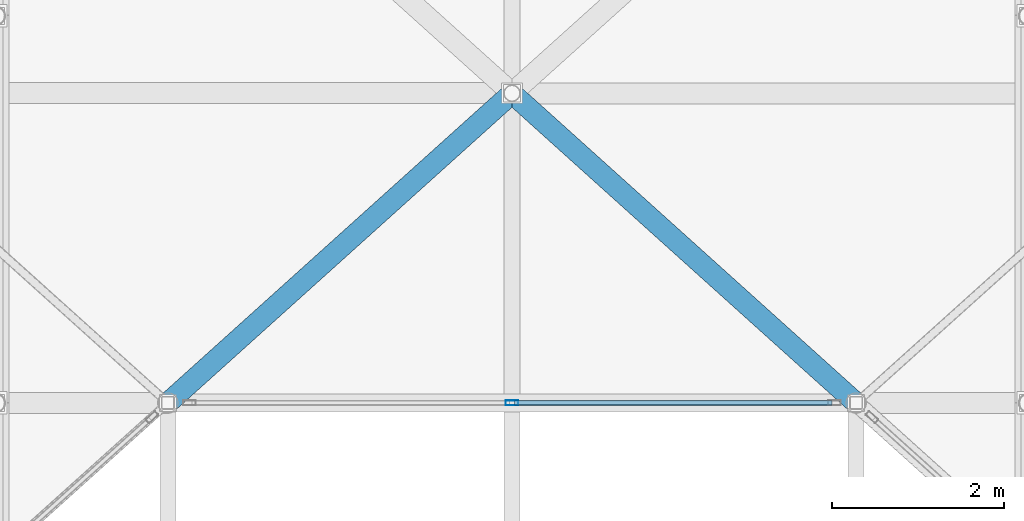
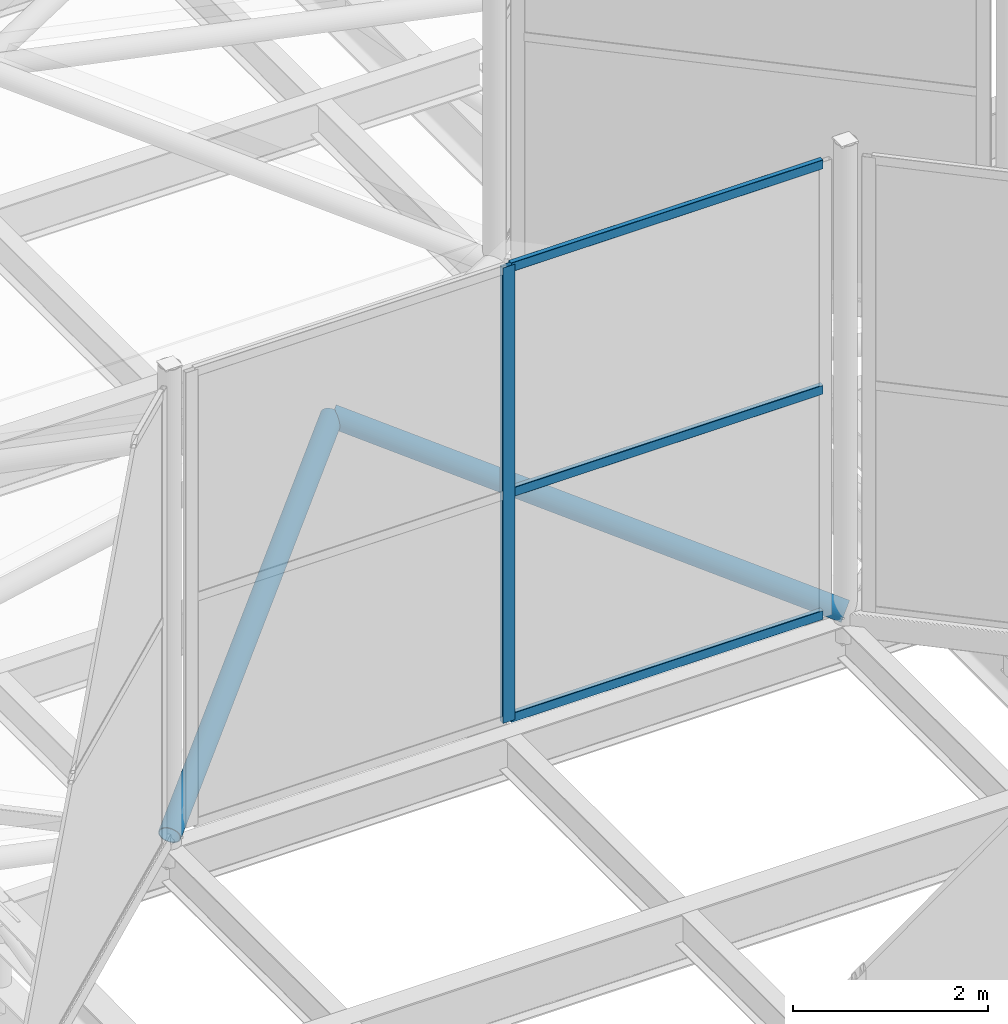
# One storey, part 96 of 239: 6 members, 1 element without a shape of its own.
"""IFC4 building model written with IfcOpenShell, lengths in metres."""

from ifc_helpers import new_model, si_unit, direction, frame, origin, origin_2d, place, context, subcontext, project, spatial, hollow_rectangle, hollow_circle, extrude, material, layer, layer_set, material_profile, profile_set, type_object, element, aggregate, save


model = new_model("IFC4")

# Units and contexts
model_context = context("Model", 3, precision=1e-05, world=origin(), true_north=direction((0.0, 1.0)))
body_context = subcontext(model_context, "Body", "Model", "MODEL_VIEW")
ifc_project = project(units=[si_unit("LENGTHUNIT", "METRE"), si_unit("AREAUNIT", "SQUARE_METRE"), si_unit("VOLUMEUNIT", "CUBIC_METRE"), si_unit("PLANEANGLEUNIT", "RADIAN"), si_unit("MASSUNIT", "GRAM", prefix="KILO")], contexts=[model_context])

# Site, building, storey
site_placement = place(None, origin())
site = spatial("IfcSite", under=ifc_project, at=site_placement, CompositionType="ELEMENT")
building_placement = place(site_placement, origin())
building = spatial("IfcBuilding", under=site, at=building_placement, Name="Dunvalen Ferry Terminal", CompositionType="ELEMENT")
storey_placement = place(building_placement, frame((0.0, 0.0, 9.840087890625)))
storey = spatial("IfcBuildingStorey", under=building, at=storey_placement, Name="L02", CompositionType="ELEMENT", Elevation=9.840087890625)

# Curtain wall, members
ifc_material_1 = material(Name="Anodised marine aluminium and solar-control glazing", Category="aluminium")
ifc_layer = layer(ifc_material_1, 0.179931640625, Name="Anodised marine aluminium and solar-control glazing")
ifc_layer_set = layer_set([ifc_layer], Name="Anodised marine aluminium and solar-control glazing")
curtain_wall_type = type_object("IfcCurtainWallType", Name="ENV-CW-SYS-05", PredefinedType="NOTDEFINED", material=ifc_layer_set)
curtain_wall_placement = place(storey_placement, origin())
curtain_wall = element("IfcCurtainWall", 1, at=curtain_wall_placement, inside=storey, type_object=curtain_wall_type, Name="L02 Curtain Wall CW-HEX-25-SK-5", PredefinedType="NOTDEFINED")
ifc_material_2 = material(Name="Anodised marine aluminium EN AW-6063 T6", Category="aluminium")
ifc_material_profile_1 = material_profile(ifc_material_2, hollow_rectangle(XDim=0.06005859375, YDim=0.14990234375, WallThickness=0.00341796875, InnerFilletRadius=0.00341796875, OuterFilletRadius=0.007080078125, at=origin_2d()), Name="Anodised marine aluminium EN AW-6063 T6")
ifc_profile_set_1 = profile_set([ifc_material_profile_1], Name="Anodised marine aluminium EN AW-6063 T6")
member_type_1 = type_object("IfcMemberType", Name="ENV-CW-MUL-3", PredefinedType="MULLION", material=ifc_profile_set_1)
member_1_placement = place(storey_placement, frame((54.0, 68.39990234375, 1.139892578125), z_axis=(0.0, 0.0, 1.0), x_axis=(0.0, -1.0, 0.0)))
member_1 = element("IfcMember", 2, at=member_1_placement, type_object=member_type_1, Name="CW-05 mullion 2", PredefinedType="MULLION", context=body_context, shape_type="SweptSolid", body=[
    extrude(hollow_rectangle(XDim=0.06005859375, YDim=0.14990234375, WallThickness=0.00341796875, InnerFilletRadius=0.00341796875, OuterFilletRadius=0.007080078125, at=origin_2d()), origin(), (0.0, 0.0, 1.0), 5.699951171875),
])
ifc_material_profile_2 = material_profile(ifc_material_2, hollow_rectangle(XDim=0.06005859375, YDim=0.114990234375, WallThickness=0.0029296875, InnerFilletRadius=0.0029296875, OuterFilletRadius=0.006103515625, at=origin_2d()), Name="Anodised marine aluminium EN AW-6063 T6")
ifc_profile_set_2 = profile_set([ifc_material_profile_2], Name="Anodised marine aluminium EN AW-6063 T6")
member_type_2 = type_object("IfcMemberType", Name="ENV-CW-TRN-3", PredefinedType="USERDEFINED", material=ifc_profile_set_2)
member_2_placement = place(storey_placement, frame((57.719970703125, 68.39990234375, 1.169921875), z_axis=(-1.0, 0.0, 0.0), x_axis=(0.0, -1.0, 0.0)))
member_2 = element("IfcMember", 3, at=member_2_placement, type_object=member_type_2, Name="CW-05 transom 1.1", ObjectType="TRANSOM", PredefinedType="USERDEFINED", context=body_context, shape_type="SweptSolid", body=[
    extrude(hollow_rectangle(XDim=0.06005859375, YDim=0.114990234375, WallThickness=0.0029296875, InnerFilletRadius=0.0029296875, OuterFilletRadius=0.006103515625, at=origin_2d()), origin(), (0.0, 0.0, 1.0), 3.68994140625),
])
member_3_placement = place(storey_placement, frame((57.719970703125, 68.39990234375, 3.989990234375), z_axis=(-1.0, 0.0, 0.0), x_axis=(0.0, -1.0, 0.0)))
member_3 = element("IfcMember", 4, at=member_3_placement, type_object=member_type_2, Name="CW-05 transom 1.2", ObjectType="TRANSOM", PredefinedType="USERDEFINED", context=body_context, shape_type="SweptSolid", body=[
    extrude(hollow_rectangle(XDim=0.06005859375, YDim=0.114990234375, WallThickness=0.0029296875, InnerFilletRadius=0.0029296875, OuterFilletRadius=0.006103515625, at=origin_2d()), origin(), (0.0, 0.0, 1.0), 3.68994140625),
])
member_4_placement = place(storey_placement, frame((57.719970703125, 68.39990234375, 6.809814453125), z_axis=(-1.0, 0.0, 0.0), x_axis=(0.0, -1.0, 0.0)))
member_4 = element("IfcMember", 5, at=member_4_placement, type_object=member_type_2, Name="CW-05 transom 1.3", ObjectType="TRANSOM", PredefinedType="USERDEFINED", context=body_context, shape_type="SweptSolid", body=[
    extrude(hollow_rectangle(XDim=0.06005859375, YDim=0.114990234375, WallThickness=0.0029296875, InnerFilletRadius=0.0029296875, OuterFilletRadius=0.006103515625, at=origin_2d()), origin(), (0.0, 0.0, 1.0), 3.68994140625),
])
aggregate(curtain_wall, [member_1, member_2, member_3, member_4])

# Members
ifc_material_3 = material(Name="Steel S355", Category="steel")
ifc_material_profile_3 = material_profile(ifc_material_3, hollow_circle(Radius=0.122314453125, WallThickness=0.010009765625, at=origin_2d()), Name="Steel S355")
ifc_profile_set_3 = profile_set([ifc_material_profile_3], Name="Steel S355")
member_type_3 = type_object("IfcMemberType", Name="STR-MB-CHS244", PredefinedType="STRUT", material=ifc_profile_set_3)
for number, where, z_axis, x_axis, name in (
    (6, (50.0, 68.39990234375, 1.099853515625), (0.710074680578, 0.639084548328, 0.295575520114), (-0.668974757313, 0.743285123004, 0.0), "HEX-26 Pyramid Hip Rafter 2"),
    (7, (58.0, 68.39990234375, 1.099853515625), (-0.710074680578, 0.639084548328, 0.295575520114), (-0.668974757313, -0.743285123004, 0.0), "HEX-26 Pyramid Hip Rafter 3"),
):
    element("IfcMember", number, at=place(storey_placement, frame(where, z_axis=z_axis, x_axis=x_axis)), inside=storey, type_object=member_type_3, Name=name, PredefinedType="STRUT", context=body_context, shape_type="SweptSolid", body=[
        extrude(hollow_circle(Radius=0.122314453125, WallThickness=0.010009765625, at=origin_2d()), origin(), (0.0, 0.0, 1.0), 5.63330078125),
    ])

save(model, "model.ifc")
